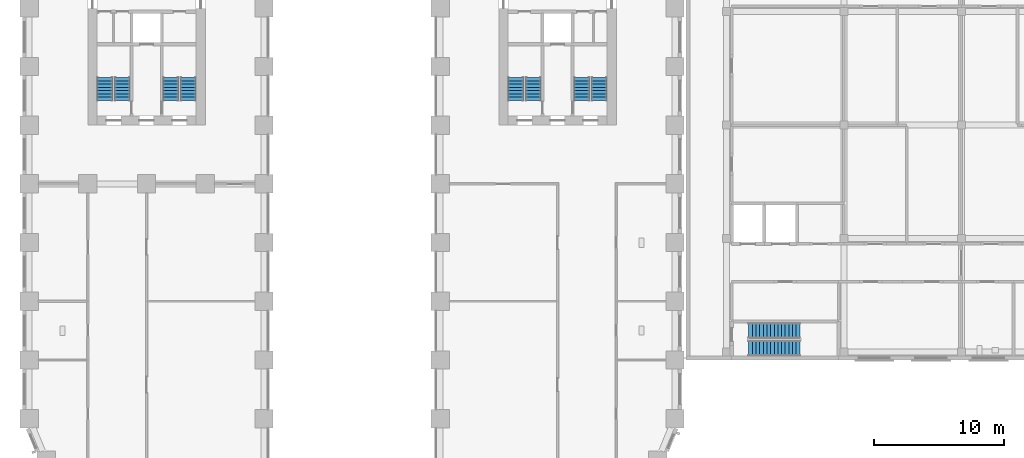
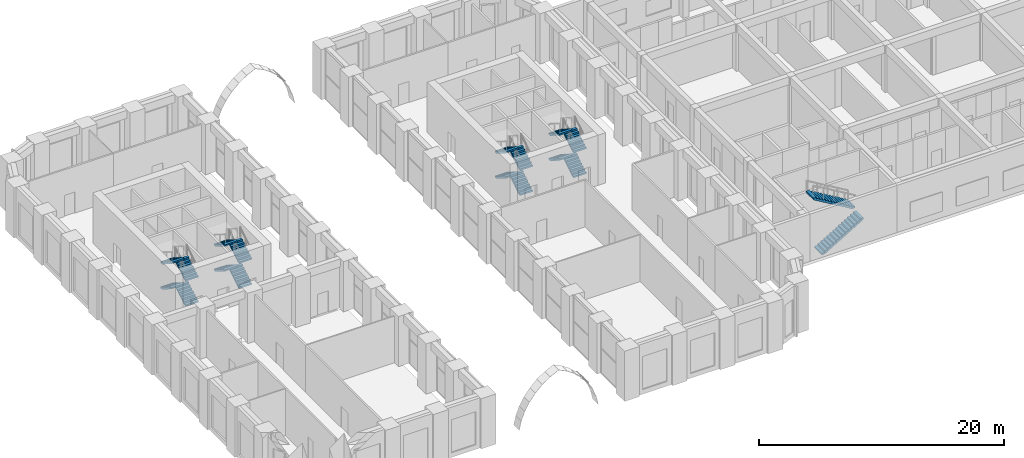
# One storey, part 16 of 24: 18 stair flights, 5 elements without a shape of their own.
"""IFC4 building model written with IfcOpenShell, lengths in metres."""

from ifc_helpers import new_model, si_unit, direction, frame, origin, place, context, subcontext, project, spatial, polyline, outline, extrude, material, type_object, element, aggregate, save


model = new_model("IFC4")

# Units and contexts
model_context = context("Model", 3, precision=1e-05, world=origin(), true_north=direction((0.0, 1.0)))
body_context = subcontext(model_context, "Body", "Model", "MODEL_VIEW")
ifc_project = project(units=[si_unit("LENGTHUNIT", "METRE"), si_unit("AREAUNIT", "SQUARE_METRE"), si_unit("VOLUMEUNIT", "CUBIC_METRE"), si_unit("PLANEANGLEUNIT", "RADIAN"), si_unit("MASSUNIT", "GRAM", prefix="KILO")], contexts=[model_context])

# Site, building, storey
site_placement = place(None, origin())
site = spatial("IfcSite", under=ifc_project, at=site_placement, CompositionType="ELEMENT")
building_placement = place(site_placement, origin())
building = spatial("IfcBuilding", under=site, at=building_placement, Name="Girih Gate Residences", CompositionType="ELEMENT")
storey_placement = place(building_placement, frame((0.0, 0.0, 11.0)))
storey = spatial("IfcBuildingStorey", under=building, at=storey_placement, Name="L02", CompositionType="ELEMENT", Elevation=11.0)

# Stair, stair flights
ifc_material = material(Name="Concrete C40/50", Category="concrete")
stair_type_1 = type_object("IfcStairType", Name="HC Stair", PredefinedType="HALF_TURN_STAIR", material=ifc_material)
stair_1_placement = place(storey_placement, origin())
stair_1 = element("IfcStair", 1, at=stair_1_placement, inside=storey, type_object=stair_type_1, Name="L02 stair A", PredefinedType="HALF_TURN_STAIR")
stair_flight_type_1 = type_object("IfcStairFlightType", Name="HC Stair flight", PredefinedType="STRAIGHT", material=ifc_material)
stair_flight_1_placement = place(storey_placement, frame((55.14990234375, 9.89990234375, 0.0), z_axis=(0.0, 0.0, 1.0), x_axis=(1.0, 0.0, 0.0)))
stair_flight_1 = element("IfcStairFlight", 2, at=stair_flight_1_placement, type_object=stair_flight_type_1, Name="HC-STA flight 1", NumberOfRisers=15, NumberOfTreads=14, PredefinedType="STRAIGHT", RiserHeight=0.166666667, TreadLength=0.28, context=body_context, shape_type="SweptSolid", body=[
    extrude(outline(polyline([(0.0, 0.0), (0.0, 0.166748046875), (0.280029296875, 0.166748046875), (0.280029296875, 0.333251953125), (0.56005859375, 0.333251953125), (0.56005859375, 0.5), (0.840087890625, 0.5), (0.840087890625, 0.666748046875), (1.1201171875, 0.666748046875), (1.1201171875, 0.833251953125), (1.39990234375, 0.833251953125), (1.39990234375, 1.0), (1.679931640625, 1.0), (1.679931640625, 1.166748046875), (1.9599609375, 1.166748046875), (1.9599609375, 1.333251953125), (2.239990234375, 1.333251953125), (2.239990234375, 1.5), (2.52001953125, 1.5), (2.52001953125, 1.666748046875), (2.800048828125, 1.666748046875), (2.800048828125, 1.833251953125), (3.080078125, 1.833251953125), (3.080078125, 2.0), (3.360107421875, 2.0), (3.360107421875, 2.166748046875), (3.639892578125, 2.166748046875), (3.639892578125, 2.333251953125), (3.919921875, 2.333251953125), (3.919921875, 2.5), (3.919921875, 2.158935546875), (0.29296875, 0.0), (0.0, 0.0)])), frame((0.0, 0.60009765625, 0.0), z_axis=(0.0, -1.0, 0.0), x_axis=(1.0, 0.0, 0.0)), (0.0, 0.0, 1.0), 1.199951171875),
])
stair_flight_2_placement = place(storey_placement, frame((59.070068359375, 11.25, 2.5), z_axis=(0.0, 0.0, 1.0), x_axis=(-1.0, 0.0, 0.0)))
stair_flight_2 = element("IfcStairFlight", 3, at=stair_flight_2_placement, type_object=stair_flight_type_1, Name="HC-STA flight 2", NumberOfRisers=15, NumberOfTreads=14, PredefinedType="STRAIGHT", RiserHeight=0.166666667, TreadLength=0.28, context=body_context, shape_type="SweptSolid", body=[
    extrude(outline(polyline([(0.0, 0.0), (0.0, 0.166748046875), (0.280029296875, 0.166748046875), (0.280029296875, 0.333251953125), (0.56005859375, 0.333251953125), (0.56005859375, 0.5), (0.840087890625, 0.5), (0.840087890625, 0.666748046875), (1.1201171875, 0.666748046875), (1.1201171875, 0.833251953125), (1.39990234375, 0.833251953125), (1.39990234375, 1.0), (1.679931640625, 1.0), (1.679931640625, 1.166748046875), (1.9599609375, 1.166748046875), (1.9599609375, 1.333251953125), (2.239990234375, 1.333251953125), (2.239990234375, 1.5), (2.52001953125, 1.5), (2.52001953125, 1.666748046875), (2.800048828125, 1.666748046875), (2.800048828125, 1.833251953125), (3.080078125, 1.833251953125), (3.080078125, 2.0), (3.360107421875, 2.0), (3.360107421875, 2.166748046875), (3.639892578125, 2.166748046875), (3.639892578125, 2.333251953125), (3.919921875, 2.333251953125), (3.919921875, 2.5), (3.919921875, 2.158935546875), (0.29296875, 0.0), (0.0, 0.0)])), frame((0.0, 0.60009765625, 0.0), z_axis=(0.0, -1.0, 0.0), x_axis=(1.0, 0.0, 0.0)), (0.0, 0.0, 1.0), 1.199951171875),
])
aggregate(stair_1, [stair_flight_1, stair_flight_2])

stair_type_2 = type_object("IfcStairType", Name="Exit stair", PredefinedType="HALF_TURN_STAIR", material=ifc_material)
stair_2_placement = place(storey_placement, origin())
stair_2 = element("IfcStair", 4, at=stair_2_placement, inside=storey, type_object=stair_type_2, Name="L02 Exit Stair ST-W1", PredefinedType="HALF_TURN_STAIR")
stair_flight_type_2 = type_object("IfcStairFlightType", Name="Stair flight 1200", PredefinedType="STRAIGHT", material=ifc_material)
stair_flight_3_placement = place(storey_placement, frame((7.14990234375, 28.89990234375, 0.0), z_axis=(0.0, 0.0, 1.0), x_axis=(0.0, 1.0, 0.0)))
stair_flight_3 = element("IfcStairFlight", 5, at=stair_flight_3_placement, type_object=stair_flight_type_2, Name="ST-W1 flight 1", NumberOfRisers=8, NumberOfTreads=7, PredefinedType="STRAIGHT", RiserHeight=0.15625, TreadLength=0.25, context=body_context, shape_type="SweptSolid", body=[
    extrude(outline(polyline([(0.0, 0.0), (0.0, 0.01123046875), (0.0, 0.022216796875), (0.0, 0.033447265625), (0.0, 0.044677734375), (0.0, 0.055908203125), (0.0, 0.06689453125), (0.0, 0.078125), (0.0, 0.08935546875), (0.0, 0.100341796875), (0.0, 0.111572265625), (0.0, 0.122802734375), (0.0, 0.134033203125), (0.0, 0.14501953125), (0.0, 0.15625), (0.25, 0.15625), (0.25, 0.3125), (0.5, 0.3125), (0.5, 0.46875), (0.75, 0.46875), (0.75, 0.625), (1.0, 0.625), (1.0, 0.78125), (1.25, 0.78125), (1.25, 0.9375), (1.5, 0.9375), (1.5, 1.09375), (1.75, 1.09375), (1.75, 1.10498046875), (1.75, 1.115966796875), (1.75, 1.127197265625), (1.75, 1.138427734375), (1.75, 1.149658203125), (1.75, 1.16064453125), (1.75, 1.171875), (1.75, 1.18310546875), (1.75, 1.194091796875), (1.75, 1.205322265625), (1.75, 1.216552734375), (1.75, 1.227783203125), (1.75, 1.23876953125), (1.75, 1.25), (1.75, 1.228759765625), (1.75, 1.20751953125), (1.75, 1.186279296875), (1.75, 1.164794921875), (1.75, 1.1435546875), (1.75, 1.122314453125), (1.75, 1.10107421875), (1.75, 1.079833984375), (1.75, 1.05859375), (1.75, 1.037109375), (1.75, 1.015869140625), (1.75, 0.99462890625), (1.75, 0.973388671875), (1.75, 0.9521484375), (0.2265625, 0.0), (0.0, 0.0)])), frame((0.0, 0.60009765625, 0.0), z_axis=(0.0, -1.0, 0.0), x_axis=(1.0, 0.0, 0.0)), (0.0, 0.0, 1.0), 1.199951171875),
])
stair_flight_4_placement = place(storey_placement, frame((5.800048828125, 30.64990234375, 1.25), z_axis=(0.0, 0.0, 1.0), x_axis=(0.0, -1.0, 0.0)))
stair_flight_4 = element("IfcStairFlight", 6, at=stair_flight_4_placement, type_object=stair_flight_type_2, Name="ST-W1 flight 2", NumberOfRisers=8, NumberOfTreads=7, PredefinedType="STRAIGHT", RiserHeight=0.15625, TreadLength=0.25, context=body_context, shape_type="SweptSolid", body=[
    extrude(outline(polyline([(0.0, 0.0), (0.0, 0.01123046875), (0.0, 0.022216796875), (0.0, 0.033447265625), (0.0, 0.044677734375), (0.0, 0.055908203125), (0.0, 0.06689453125), (0.0, 0.078125), (0.0, 0.08935546875), (0.0, 0.100341796875), (0.0, 0.111572265625), (0.0, 0.122802734375), (0.0, 0.134033203125), (0.0, 0.14501953125), (0.0, 0.15625), (0.25, 0.15625), (0.25, 0.3125), (0.5, 0.3125), (0.5, 0.46875), (0.75, 0.46875), (0.75, 0.625), (1.0, 0.625), (1.0, 0.78125), (1.25, 0.78125), (1.25, 0.9375), (1.5, 0.9375), (1.5, 1.09375), (1.75, 1.09375), (1.75, 1.10498046875), (1.75, 1.115966796875), (1.75, 1.127197265625), (1.75, 1.138427734375), (1.75, 1.149658203125), (1.75, 1.16064453125), (1.75, 1.171875), (1.75, 1.18310546875), (1.75, 1.194091796875), (1.75, 1.205322265625), (1.75, 1.216552734375), (1.75, 1.227783203125), (1.75, 1.23876953125), (1.75, 1.25), (1.75, 1.228759765625), (1.75, 1.20751953125), (1.75, 1.186279296875), (1.75, 1.164794921875), (1.75, 1.1435546875), (1.75, 1.122314453125), (1.75, 1.10107421875), (1.75, 1.079833984375), (1.75, 1.05859375), (1.75, 1.037109375), (1.75, 1.015869140625), (1.75, 0.99462890625), (1.75, 0.973388671875), (1.75, 0.9521484375), (0.2265625, 0.0), (0.0, 0.0)])), frame((0.0, 0.60009765625, 0.0), z_axis=(0.0, -1.0, 0.0), x_axis=(1.0, 0.0, 0.0)), (0.0, 0.0, 1.0), 1.199951171875),
])
stair_flight_5_placement = place(storey_placement, frame((7.14990234375, 28.89990234375, 2.5), z_axis=(0.0, 0.0, 1.0), x_axis=(0.0, 1.0, 0.0)))
stair_flight_5 = element("IfcStairFlight", 7, at=stair_flight_5_placement, type_object=stair_flight_type_2, Name="ST-W1 flight 3", NumberOfRisers=8, NumberOfTreads=7, PredefinedType="STRAIGHT", RiserHeight=0.15625, TreadLength=0.25, context=body_context, shape_type="SweptSolid", body=[
    extrude(outline(polyline([(0.0, 0.0), (0.0, 0.01123046875), (0.0, 0.022216796875), (0.0, 0.033447265625), (0.0, 0.044677734375), (0.0, 0.055908203125), (0.0, 0.06689453125), (0.0, 0.078125), (0.0, 0.08935546875), (0.0, 0.100341796875), (0.0, 0.111572265625), (0.0, 0.122802734375), (0.0, 0.134033203125), (0.0, 0.14501953125), (0.0, 0.15625), (0.25, 0.15625), (0.25, 0.3125), (0.5, 0.3125), (0.5, 0.46875), (0.75, 0.46875), (0.75, 0.625), (1.0, 0.625), (1.0, 0.78125), (1.25, 0.78125), (1.25, 0.9375), (1.5, 0.9375), (1.5, 1.09375), (1.75, 1.09375), (1.75, 1.10498046875), (1.75, 1.115966796875), (1.75, 1.127197265625), (1.75, 1.138427734375), (1.75, 1.149658203125), (1.75, 1.16064453125), (1.75, 1.171875), (1.75, 1.18310546875), (1.75, 1.194091796875), (1.75, 1.205322265625), (1.75, 1.216552734375), (1.75, 1.227783203125), (1.75, 1.23876953125), (1.75, 1.25), (1.75, 1.228759765625), (1.75, 1.20751953125), (1.75, 1.186279296875), (1.75, 1.164794921875), (1.75, 1.1435546875), (1.75, 1.122314453125), (1.75, 1.10107421875), (1.75, 1.079833984375), (1.75, 1.05859375), (1.75, 1.037109375), (1.75, 1.015869140625), (1.75, 0.99462890625), (1.75, 0.973388671875), (1.75, 0.9521484375), (0.2265625, 0.0), (0.0, 0.0)])), frame((0.0, 0.60009765625, 0.0), z_axis=(0.0, -1.0, 0.0), x_axis=(1.0, 0.0, 0.0)), (0.0, 0.0, 1.0), 1.199951171875),
])
stair_flight_6_placement = place(storey_placement, frame((5.800048828125, 30.64990234375, 3.75), z_axis=(0.0, 0.0, 1.0), x_axis=(0.0, -1.0, 0.0)))
stair_flight_6 = element("IfcStairFlight", 8, at=stair_flight_6_placement, type_object=stair_flight_type_2, Name="ST-W1 flight 4", NumberOfRisers=8, NumberOfTreads=7, PredefinedType="STRAIGHT", RiserHeight=0.15625, TreadLength=0.25, context=body_context, shape_type="SweptSolid", body=[
    extrude(outline(polyline([(0.0, 0.0), (0.0, 0.01123046875), (0.0, 0.022216796875), (0.0, 0.033447265625), (0.0, 0.044677734375), (0.0, 0.055908203125), (0.0, 0.06689453125), (0.0, 0.078125), (0.0, 0.08935546875), (0.0, 0.100341796875), (0.0, 0.111572265625), (0.0, 0.122802734375), (0.0, 0.134033203125), (0.0, 0.14501953125), (0.0, 0.15625), (0.25, 0.15625), (0.25, 0.3125), (0.5, 0.3125), (0.5, 0.46875), (0.75, 0.46875), (0.75, 0.625), (1.0, 0.625), (1.0, 0.78125), (1.25, 0.78125), (1.25, 0.9375), (1.5, 0.9375), (1.5, 1.09375), (1.75, 1.09375), (1.75, 1.10498046875), (1.75, 1.115966796875), (1.75, 1.127197265625), (1.75, 1.138427734375), (1.75, 1.149658203125), (1.75, 1.16064453125), (1.75, 1.171875), (1.75, 1.18310546875), (1.75, 1.194091796875), (1.75, 1.205322265625), (1.75, 1.216552734375), (1.75, 1.227783203125), (1.75, 1.23876953125), (1.75, 1.25), (1.75, 1.228759765625), (1.75, 1.20751953125), (1.75, 1.186279296875), (1.75, 1.164794921875), (1.75, 1.1435546875), (1.75, 1.122314453125), (1.75, 1.10107421875), (1.75, 1.079833984375), (1.75, 1.05859375), (1.75, 1.037109375), (1.75, 1.015869140625), (1.75, 0.99462890625), (1.75, 0.973388671875), (1.75, 0.9521484375), (0.2265625, 0.0), (0.0, 0.0)])), frame((0.0, 0.60009765625, 0.0), z_axis=(0.0, -1.0, 0.0), x_axis=(1.0, 0.0, 0.0)), (0.0, 0.0, 1.0), 1.199951171875),
])
aggregate(stair_2, [stair_flight_3, stair_flight_4, stair_flight_5, stair_flight_6])

stair_3_placement = place(storey_placement, origin())
stair_3 = element("IfcStair", 9, at=stair_3_placement, inside=storey, type_object=stair_type_2, Name="L02 Exit Stair ST-W2", PredefinedType="HALF_TURN_STAIR")
stair_flight_7_placement = place(storey_placement, frame((12.199951171875, 28.89990234375, 0.0), z_axis=(0.0, 0.0, 1.0), x_axis=(0.0, 1.0, 0.0)))
stair_flight_7 = element("IfcStairFlight", 10, at=stair_flight_7_placement, type_object=stair_flight_type_2, Name="ST-W2 flight 1", NumberOfRisers=8, NumberOfTreads=7, PredefinedType="STRAIGHT", RiserHeight=0.15625, TreadLength=0.25, context=body_context, shape_type="SweptSolid", body=[
    extrude(outline(polyline([(0.0, 0.0), (0.0, 0.01123046875), (0.0, 0.022216796875), (0.0, 0.033447265625), (0.0, 0.044677734375), (0.0, 0.055908203125), (0.0, 0.06689453125), (0.0, 0.078125), (0.0, 0.08935546875), (0.0, 0.100341796875), (0.0, 0.111572265625), (0.0, 0.122802734375), (0.0, 0.134033203125), (0.0, 0.14501953125), (0.0, 0.15625), (0.25, 0.15625), (0.25, 0.3125), (0.5, 0.3125), (0.5, 0.46875), (0.75, 0.46875), (0.75, 0.625), (1.0, 0.625), (1.0, 0.78125), (1.25, 0.78125), (1.25, 0.9375), (1.5, 0.9375), (1.5, 1.09375), (1.75, 1.09375), (1.75, 1.10498046875), (1.75, 1.115966796875), (1.75, 1.127197265625), (1.75, 1.138427734375), (1.75, 1.149658203125), (1.75, 1.16064453125), (1.75, 1.171875), (1.75, 1.18310546875), (1.75, 1.194091796875), (1.75, 1.205322265625), (1.75, 1.216552734375), (1.75, 1.227783203125), (1.75, 1.23876953125), (1.75, 1.25), (1.75, 1.228759765625), (1.75, 1.20751953125), (1.75, 1.186279296875), (1.75, 1.164794921875), (1.75, 1.1435546875), (1.75, 1.122314453125), (1.75, 1.10107421875), (1.75, 1.079833984375), (1.75, 1.05859375), (1.75, 1.037109375), (1.75, 1.015869140625), (1.75, 0.99462890625), (1.75, 0.973388671875), (1.75, 0.9521484375), (0.2265625, 0.0), (0.0, 0.0)])), frame((0.0, 0.60009765625, 0.0), z_axis=(0.0, -1.0, 0.0), x_axis=(1.0, 0.0, 0.0)), (0.0, 0.0, 1.0), 1.199951171875),
])
stair_flight_8_placement = place(storey_placement, frame((10.85009765625, 30.64990234375, 1.25), z_axis=(0.0, 0.0, 1.0), x_axis=(0.0, -1.0, 0.0)))
stair_flight_8 = element("IfcStairFlight", 11, at=stair_flight_8_placement, type_object=stair_flight_type_2, Name="ST-W2 flight 2", NumberOfRisers=8, NumberOfTreads=7, PredefinedType="STRAIGHT", RiserHeight=0.15625, TreadLength=0.25, context=body_context, shape_type="SweptSolid", body=[
    extrude(outline(polyline([(0.0, 0.0), (0.0, 0.01123046875), (0.0, 0.022216796875), (0.0, 0.033447265625), (0.0, 0.044677734375), (0.0, 0.055908203125), (0.0, 0.06689453125), (0.0, 0.078125), (0.0, 0.08935546875), (0.0, 0.100341796875), (0.0, 0.111572265625), (0.0, 0.122802734375), (0.0, 0.134033203125), (0.0, 0.14501953125), (0.0, 0.15625), (0.25, 0.15625), (0.25, 0.3125), (0.5, 0.3125), (0.5, 0.46875), (0.75, 0.46875), (0.75, 0.625), (1.0, 0.625), (1.0, 0.78125), (1.25, 0.78125), (1.25, 0.9375), (1.5, 0.9375), (1.5, 1.09375), (1.75, 1.09375), (1.75, 1.10498046875), (1.75, 1.115966796875), (1.75, 1.127197265625), (1.75, 1.138427734375), (1.75, 1.149658203125), (1.75, 1.16064453125), (1.75, 1.171875), (1.75, 1.18310546875), (1.75, 1.194091796875), (1.75, 1.205322265625), (1.75, 1.216552734375), (1.75, 1.227783203125), (1.75, 1.23876953125), (1.75, 1.25), (1.75, 1.228759765625), (1.75, 1.20751953125), (1.75, 1.186279296875), (1.75, 1.164794921875), (1.75, 1.1435546875), (1.75, 1.122314453125), (1.75, 1.10107421875), (1.75, 1.079833984375), (1.75, 1.05859375), (1.75, 1.037109375), (1.75, 1.015869140625), (1.75, 0.99462890625), (1.75, 0.973388671875), (1.75, 0.9521484375), (0.2265625, 0.0), (0.0, 0.0)])), frame((0.0, 0.60009765625, 0.0), z_axis=(0.0, -1.0, 0.0), x_axis=(1.0, 0.0, 0.0)), (0.0, 0.0, 1.0), 1.199951171875),
])
stair_flight_9_placement = place(storey_placement, frame((12.199951171875, 28.89990234375, 2.5), z_axis=(0.0, 0.0, 1.0), x_axis=(0.0, 1.0, 0.0)))
stair_flight_9 = element("IfcStairFlight", 12, at=stair_flight_9_placement, type_object=stair_flight_type_2, Name="ST-W2 flight 3", NumberOfRisers=8, NumberOfTreads=7, PredefinedType="STRAIGHT", RiserHeight=0.15625, TreadLength=0.25, context=body_context, shape_type="SweptSolid", body=[
    extrude(outline(polyline([(0.0, 0.0), (0.0, 0.01123046875), (0.0, 0.022216796875), (0.0, 0.033447265625), (0.0, 0.044677734375), (0.0, 0.055908203125), (0.0, 0.06689453125), (0.0, 0.078125), (0.0, 0.08935546875), (0.0, 0.100341796875), (0.0, 0.111572265625), (0.0, 0.122802734375), (0.0, 0.134033203125), (0.0, 0.14501953125), (0.0, 0.15625), (0.25, 0.15625), (0.25, 0.3125), (0.5, 0.3125), (0.5, 0.46875), (0.75, 0.46875), (0.75, 0.625), (1.0, 0.625), (1.0, 0.78125), (1.25, 0.78125), (1.25, 0.9375), (1.5, 0.9375), (1.5, 1.09375), (1.75, 1.09375), (1.75, 1.10498046875), (1.75, 1.115966796875), (1.75, 1.127197265625), (1.75, 1.138427734375), (1.75, 1.149658203125), (1.75, 1.16064453125), (1.75, 1.171875), (1.75, 1.18310546875), (1.75, 1.194091796875), (1.75, 1.205322265625), (1.75, 1.216552734375), (1.75, 1.227783203125), (1.75, 1.23876953125), (1.75, 1.25), (1.75, 1.228759765625), (1.75, 1.20751953125), (1.75, 1.186279296875), (1.75, 1.164794921875), (1.75, 1.1435546875), (1.75, 1.122314453125), (1.75, 1.10107421875), (1.75, 1.079833984375), (1.75, 1.05859375), (1.75, 1.037109375), (1.75, 1.015869140625), (1.75, 0.99462890625), (1.75, 0.973388671875), (1.75, 0.9521484375), (0.2265625, 0.0), (0.0, 0.0)])), frame((0.0, 0.60009765625, 0.0), z_axis=(0.0, -1.0, 0.0), x_axis=(1.0, 0.0, 0.0)), (0.0, 0.0, 1.0), 1.199951171875),
])
stair_flight_10_placement = place(storey_placement, frame((10.85009765625, 30.64990234375, 3.75), z_axis=(0.0, 0.0, 1.0), x_axis=(0.0, -1.0, 0.0)))
stair_flight_10 = element("IfcStairFlight", 13, at=stair_flight_10_placement, type_object=stair_flight_type_2, Name="ST-W2 flight 4", NumberOfRisers=8, NumberOfTreads=7, PredefinedType="STRAIGHT", RiserHeight=0.15625, TreadLength=0.25, context=body_context, shape_type="SweptSolid", body=[
    extrude(outline(polyline([(0.0, 0.0), (0.0, 0.01123046875), (0.0, 0.022216796875), (0.0, 0.033447265625), (0.0, 0.044677734375), (0.0, 0.055908203125), (0.0, 0.06689453125), (0.0, 0.078125), (0.0, 0.08935546875), (0.0, 0.100341796875), (0.0, 0.111572265625), (0.0, 0.122802734375), (0.0, 0.134033203125), (0.0, 0.14501953125), (0.0, 0.15625), (0.25, 0.15625), (0.25, 0.3125), (0.5, 0.3125), (0.5, 0.46875), (0.75, 0.46875), (0.75, 0.625), (1.0, 0.625), (1.0, 0.78125), (1.25, 0.78125), (1.25, 0.9375), (1.5, 0.9375), (1.5, 1.09375), (1.75, 1.09375), (1.75, 1.10498046875), (1.75, 1.115966796875), (1.75, 1.127197265625), (1.75, 1.138427734375), (1.75, 1.149658203125), (1.75, 1.16064453125), (1.75, 1.171875), (1.75, 1.18310546875), (1.75, 1.194091796875), (1.75, 1.205322265625), (1.75, 1.216552734375), (1.75, 1.227783203125), (1.75, 1.23876953125), (1.75, 1.25), (1.75, 1.228759765625), (1.75, 1.20751953125), (1.75, 1.186279296875), (1.75, 1.164794921875), (1.75, 1.1435546875), (1.75, 1.122314453125), (1.75, 1.10107421875), (1.75, 1.079833984375), (1.75, 1.05859375), (1.75, 1.037109375), (1.75, 1.015869140625), (1.75, 0.99462890625), (1.75, 0.973388671875), (1.75, 0.9521484375), (0.2265625, 0.0), (0.0, 0.0)])), frame((0.0, 0.60009765625, 0.0), z_axis=(0.0, -1.0, 0.0), x_axis=(1.0, 0.0, 0.0)), (0.0, 0.0, 1.0), 1.199951171875),
])
aggregate(stair_3, [stair_flight_7, stair_flight_8, stair_flight_9, stair_flight_10])

stair_4_placement = place(storey_placement, origin())
stair_4 = element("IfcStair", 14, at=stair_4_placement, inside=storey, type_object=stair_type_2, Name="L02 Exit Stair ST-E1", PredefinedType="HALF_TURN_STAIR")
stair_flight_11_placement = place(storey_placement, frame((43.699951171875, 28.89990234375, 0.0), z_axis=(0.0, 0.0, 1.0), x_axis=(0.0, 1.0, 0.0)))
stair_flight_11 = element("IfcStairFlight", 15, at=stair_flight_11_placement, type_object=stair_flight_type_2, Name="ST-E1 flight 1", NumberOfRisers=8, NumberOfTreads=7, PredefinedType="STRAIGHT", RiserHeight=0.15625, TreadLength=0.25, context=body_context, shape_type="SweptSolid", body=[
    extrude(outline(polyline([(0.0, 0.0), (0.0, 0.01123046875), (0.0, 0.022216796875), (0.0, 0.033447265625), (0.0, 0.044677734375), (0.0, 0.055908203125), (0.0, 0.06689453125), (0.0, 0.078125), (0.0, 0.08935546875), (0.0, 0.100341796875), (0.0, 0.111572265625), (0.0, 0.122802734375), (0.0, 0.134033203125), (0.0, 0.14501953125), (0.0, 0.15625), (0.25, 0.15625), (0.25, 0.3125), (0.5, 0.3125), (0.5, 0.46875), (0.75, 0.46875), (0.75, 0.625), (1.0, 0.625), (1.0, 0.78125), (1.25, 0.78125), (1.25, 0.9375), (1.5, 0.9375), (1.5, 1.09375), (1.75, 1.09375), (1.75, 1.10498046875), (1.75, 1.115966796875), (1.75, 1.127197265625), (1.75, 1.138427734375), (1.75, 1.149658203125), (1.75, 1.16064453125), (1.75, 1.171875), (1.75, 1.18310546875), (1.75, 1.194091796875), (1.75, 1.205322265625), (1.75, 1.216552734375), (1.75, 1.227783203125), (1.75, 1.23876953125), (1.75, 1.25), (1.75, 1.228759765625), (1.75, 1.20751953125), (1.75, 1.186279296875), (1.75, 1.164794921875), (1.75, 1.1435546875), (1.75, 1.122314453125), (1.75, 1.10107421875), (1.75, 1.079833984375), (1.75, 1.05859375), (1.75, 1.037109375), (1.75, 1.015869140625), (1.75, 0.99462890625), (1.75, 0.973388671875), (1.75, 0.9521484375), (0.2265625, 0.0), (0.0, 0.0)])), frame((0.0, 0.60009765625, 0.0), z_axis=(0.0, -1.0, 0.0), x_axis=(1.0, 0.0, 0.0)), (0.0, 0.0, 1.0), 1.199951171875),
])
stair_flight_12_placement = place(storey_placement, frame((42.35009765625, 30.64990234375, 1.25), z_axis=(0.0, 0.0, 1.0), x_axis=(0.0, -1.0, 0.0)))
stair_flight_12 = element("IfcStairFlight", 16, at=stair_flight_12_placement, type_object=stair_flight_type_2, Name="ST-E1 flight 2", NumberOfRisers=8, NumberOfTreads=7, PredefinedType="STRAIGHT", RiserHeight=0.15625, TreadLength=0.25, context=body_context, shape_type="SweptSolid", body=[
    extrude(outline(polyline([(0.0, 0.0), (0.0, 0.01123046875), (0.0, 0.022216796875), (0.0, 0.033447265625), (0.0, 0.044677734375), (0.0, 0.055908203125), (0.0, 0.06689453125), (0.0, 0.078125), (0.0, 0.08935546875), (0.0, 0.100341796875), (0.0, 0.111572265625), (0.0, 0.122802734375), (0.0, 0.134033203125), (0.0, 0.14501953125), (0.0, 0.15625), (0.25, 0.15625), (0.25, 0.3125), (0.5, 0.3125), (0.5, 0.46875), (0.75, 0.46875), (0.75, 0.625), (1.0, 0.625), (1.0, 0.78125), (1.25, 0.78125), (1.25, 0.9375), (1.5, 0.9375), (1.5, 1.09375), (1.75, 1.09375), (1.75, 1.10498046875), (1.75, 1.115966796875), (1.75, 1.127197265625), (1.75, 1.138427734375), (1.75, 1.149658203125), (1.75, 1.16064453125), (1.75, 1.171875), (1.75, 1.18310546875), (1.75, 1.194091796875), (1.75, 1.205322265625), (1.75, 1.216552734375), (1.75, 1.227783203125), (1.75, 1.23876953125), (1.75, 1.25), (1.75, 1.228759765625), (1.75, 1.20751953125), (1.75, 1.186279296875), (1.75, 1.164794921875), (1.75, 1.1435546875), (1.75, 1.122314453125), (1.75, 1.10107421875), (1.75, 1.079833984375), (1.75, 1.05859375), (1.75, 1.037109375), (1.75, 1.015869140625), (1.75, 0.99462890625), (1.75, 0.973388671875), (1.75, 0.9521484375), (0.2265625, 0.0), (0.0, 0.0)])), frame((0.0, 0.60009765625, 0.0), z_axis=(0.0, -1.0, 0.0), x_axis=(1.0, 0.0, 0.0)), (0.0, 0.0, 1.0), 1.199951171875),
])
stair_flight_13_placement = place(storey_placement, frame((43.699951171875, 28.89990234375, 2.5), z_axis=(0.0, 0.0, 1.0), x_axis=(0.0, 1.0, 0.0)))
stair_flight_13 = element("IfcStairFlight", 17, at=stair_flight_13_placement, type_object=stair_flight_type_2, Name="ST-E1 flight 3", NumberOfRisers=8, NumberOfTreads=7, PredefinedType="STRAIGHT", RiserHeight=0.15625, TreadLength=0.25, context=body_context, shape_type="SweptSolid", body=[
    extrude(outline(polyline([(0.0, 0.0), (0.0, 0.01123046875), (0.0, 0.022216796875), (0.0, 0.033447265625), (0.0, 0.044677734375), (0.0, 0.055908203125), (0.0, 0.06689453125), (0.0, 0.078125), (0.0, 0.08935546875), (0.0, 0.100341796875), (0.0, 0.111572265625), (0.0, 0.122802734375), (0.0, 0.134033203125), (0.0, 0.14501953125), (0.0, 0.15625), (0.25, 0.15625), (0.25, 0.3125), (0.5, 0.3125), (0.5, 0.46875), (0.75, 0.46875), (0.75, 0.625), (1.0, 0.625), (1.0, 0.78125), (1.25, 0.78125), (1.25, 0.9375), (1.5, 0.9375), (1.5, 1.09375), (1.75, 1.09375), (1.75, 1.10498046875), (1.75, 1.115966796875), (1.75, 1.127197265625), (1.75, 1.138427734375), (1.75, 1.149658203125), (1.75, 1.16064453125), (1.75, 1.171875), (1.75, 1.18310546875), (1.75, 1.194091796875), (1.75, 1.205322265625), (1.75, 1.216552734375), (1.75, 1.227783203125), (1.75, 1.23876953125), (1.75, 1.25), (1.75, 1.228759765625), (1.75, 1.20751953125), (1.75, 1.186279296875), (1.75, 1.164794921875), (1.75, 1.1435546875), (1.75, 1.122314453125), (1.75, 1.10107421875), (1.75, 1.079833984375), (1.75, 1.05859375), (1.75, 1.037109375), (1.75, 1.015869140625), (1.75, 0.99462890625), (1.75, 0.973388671875), (1.75, 0.9521484375), (0.2265625, 0.0), (0.0, 0.0)])), frame((0.0, 0.60009765625, 0.0), z_axis=(0.0, -1.0, 0.0), x_axis=(1.0, 0.0, 0.0)), (0.0, 0.0, 1.0), 1.199951171875),
])
stair_flight_14_placement = place(storey_placement, frame((42.35009765625, 30.64990234375, 3.75), z_axis=(0.0, 0.0, 1.0), x_axis=(0.0, -1.0, 0.0)))
stair_flight_14 = element("IfcStairFlight", 18, at=stair_flight_14_placement, type_object=stair_flight_type_2, Name="ST-E1 flight 4", NumberOfRisers=8, NumberOfTreads=7, PredefinedType="STRAIGHT", RiserHeight=0.15625, TreadLength=0.25, context=body_context, shape_type="SweptSolid", body=[
    extrude(outline(polyline([(0.0, 0.0), (0.0, 0.01123046875), (0.0, 0.022216796875), (0.0, 0.033447265625), (0.0, 0.044677734375), (0.0, 0.055908203125), (0.0, 0.06689453125), (0.0, 0.078125), (0.0, 0.08935546875), (0.0, 0.100341796875), (0.0, 0.111572265625), (0.0, 0.122802734375), (0.0, 0.134033203125), (0.0, 0.14501953125), (0.0, 0.15625), (0.25, 0.15625), (0.25, 0.3125), (0.5, 0.3125), (0.5, 0.46875), (0.75, 0.46875), (0.75, 0.625), (1.0, 0.625), (1.0, 0.78125), (1.25, 0.78125), (1.25, 0.9375), (1.5, 0.9375), (1.5, 1.09375), (1.75, 1.09375), (1.75, 1.10498046875), (1.75, 1.115966796875), (1.75, 1.127197265625), (1.75, 1.138427734375), (1.75, 1.149658203125), (1.75, 1.16064453125), (1.75, 1.171875), (1.75, 1.18310546875), (1.75, 1.194091796875), (1.75, 1.205322265625), (1.75, 1.216552734375), (1.75, 1.227783203125), (1.75, 1.23876953125), (1.75, 1.25), (1.75, 1.228759765625), (1.75, 1.20751953125), (1.75, 1.186279296875), (1.75, 1.164794921875), (1.75, 1.1435546875), (1.75, 1.122314453125), (1.75, 1.10107421875), (1.75, 1.079833984375), (1.75, 1.05859375), (1.75, 1.037109375), (1.75, 1.015869140625), (1.75, 0.99462890625), (1.75, 0.973388671875), (1.75, 0.9521484375), (0.2265625, 0.0), (0.0, 0.0)])), frame((0.0, 0.60009765625, 0.0), z_axis=(0.0, -1.0, 0.0), x_axis=(1.0, 0.0, 0.0)), (0.0, 0.0, 1.0), 1.199951171875),
])
aggregate(stair_4, [stair_flight_11, stair_flight_12, stair_flight_13, stair_flight_14])

stair_5_placement = place(storey_placement, origin())
stair_5 = element("IfcStair", 19, at=stair_5_placement, inside=storey, type_object=stair_type_2, Name="L02 Exit Stair ST-E2", PredefinedType="HALF_TURN_STAIR")
stair_flight_15_placement = place(storey_placement, frame((38.64990234375, 28.89990234375, 0.0), z_axis=(0.0, 0.0, 1.0), x_axis=(0.0, 1.0, 0.0)))
stair_flight_15 = element("IfcStairFlight", 20, at=stair_flight_15_placement, type_object=stair_flight_type_2, Name="ST-E2 flight 1", NumberOfRisers=8, NumberOfTreads=7, PredefinedType="STRAIGHT", RiserHeight=0.15625, TreadLength=0.25, context=body_context, shape_type="SweptSolid", body=[
    extrude(outline(polyline([(0.0, 0.0), (0.0, 0.01123046875), (0.0, 0.022216796875), (0.0, 0.033447265625), (0.0, 0.044677734375), (0.0, 0.055908203125), (0.0, 0.06689453125), (0.0, 0.078125), (0.0, 0.08935546875), (0.0, 0.100341796875), (0.0, 0.111572265625), (0.0, 0.122802734375), (0.0, 0.134033203125), (0.0, 0.14501953125), (0.0, 0.15625), (0.25, 0.15625), (0.25, 0.3125), (0.5, 0.3125), (0.5, 0.46875), (0.75, 0.46875), (0.75, 0.625), (1.0, 0.625), (1.0, 0.78125), (1.25, 0.78125), (1.25, 0.9375), (1.5, 0.9375), (1.5, 1.09375), (1.75, 1.09375), (1.75, 1.10498046875), (1.75, 1.115966796875), (1.75, 1.127197265625), (1.75, 1.138427734375), (1.75, 1.149658203125), (1.75, 1.16064453125), (1.75, 1.171875), (1.75, 1.18310546875), (1.75, 1.194091796875), (1.75, 1.205322265625), (1.75, 1.216552734375), (1.75, 1.227783203125), (1.75, 1.23876953125), (1.75, 1.25), (1.75, 1.228759765625), (1.75, 1.20751953125), (1.75, 1.186279296875), (1.75, 1.164794921875), (1.75, 1.1435546875), (1.75, 1.122314453125), (1.75, 1.10107421875), (1.75, 1.079833984375), (1.75, 1.05859375), (1.75, 1.037109375), (1.75, 1.015869140625), (1.75, 0.99462890625), (1.75, 0.973388671875), (1.75, 0.9521484375), (0.2265625, 0.0), (0.0, 0.0)])), frame((0.0, 0.60009765625, 0.0), z_axis=(0.0, -1.0, 0.0), x_axis=(1.0, 0.0, 0.0)), (0.0, 0.0, 1.0), 1.199951171875),
])
stair_flight_16_placement = place(storey_placement, frame((37.300048828125, 30.64990234375, 1.25), z_axis=(0.0, 0.0, 1.0), x_axis=(0.0, -1.0, 0.0)))
stair_flight_16 = element("IfcStairFlight", 21, at=stair_flight_16_placement, type_object=stair_flight_type_2, Name="ST-E2 flight 2", NumberOfRisers=8, NumberOfTreads=7, PredefinedType="STRAIGHT", RiserHeight=0.15625, TreadLength=0.25, context=body_context, shape_type="SweptSolid", body=[
    extrude(outline(polyline([(0.0, 0.0), (0.0, 0.01123046875), (0.0, 0.022216796875), (0.0, 0.033447265625), (0.0, 0.044677734375), (0.0, 0.055908203125), (0.0, 0.06689453125), (0.0, 0.078125), (0.0, 0.08935546875), (0.0, 0.100341796875), (0.0, 0.111572265625), (0.0, 0.122802734375), (0.0, 0.134033203125), (0.0, 0.14501953125), (0.0, 0.15625), (0.25, 0.15625), (0.25, 0.3125), (0.5, 0.3125), (0.5, 0.46875), (0.75, 0.46875), (0.75, 0.625), (1.0, 0.625), (1.0, 0.78125), (1.25, 0.78125), (1.25, 0.9375), (1.5, 0.9375), (1.5, 1.09375), (1.75, 1.09375), (1.75, 1.10498046875), (1.75, 1.115966796875), (1.75, 1.127197265625), (1.75, 1.138427734375), (1.75, 1.149658203125), (1.75, 1.16064453125), (1.75, 1.171875), (1.75, 1.18310546875), (1.75, 1.194091796875), (1.75, 1.205322265625), (1.75, 1.216552734375), (1.75, 1.227783203125), (1.75, 1.23876953125), (1.75, 1.25), (1.75, 1.228759765625), (1.75, 1.20751953125), (1.75, 1.186279296875), (1.75, 1.164794921875), (1.75, 1.1435546875), (1.75, 1.122314453125), (1.75, 1.10107421875), (1.75, 1.079833984375), (1.75, 1.05859375), (1.75, 1.037109375), (1.75, 1.015869140625), (1.75, 0.99462890625), (1.75, 0.973388671875), (1.75, 0.9521484375), (0.2265625, 0.0), (0.0, 0.0)])), frame((0.0, 0.60009765625, 0.0), z_axis=(0.0, -1.0, 0.0), x_axis=(1.0, 0.0, 0.0)), (0.0, 0.0, 1.0), 1.199951171875),
])
stair_flight_17_placement = place(storey_placement, frame((38.64990234375, 28.89990234375, 2.5), z_axis=(0.0, 0.0, 1.0), x_axis=(0.0, 1.0, 0.0)))
stair_flight_17 = element("IfcStairFlight", 22, at=stair_flight_17_placement, type_object=stair_flight_type_2, Name="ST-E2 flight 3", NumberOfRisers=8, NumberOfTreads=7, PredefinedType="STRAIGHT", RiserHeight=0.15625, TreadLength=0.25, context=body_context, shape_type="SweptSolid", body=[
    extrude(outline(polyline([(0.0, 0.0), (0.0, 0.01123046875), (0.0, 0.022216796875), (0.0, 0.033447265625), (0.0, 0.044677734375), (0.0, 0.055908203125), (0.0, 0.06689453125), (0.0, 0.078125), (0.0, 0.08935546875), (0.0, 0.100341796875), (0.0, 0.111572265625), (0.0, 0.122802734375), (0.0, 0.134033203125), (0.0, 0.14501953125), (0.0, 0.15625), (0.25, 0.15625), (0.25, 0.3125), (0.5, 0.3125), (0.5, 0.46875), (0.75, 0.46875), (0.75, 0.625), (1.0, 0.625), (1.0, 0.78125), (1.25, 0.78125), (1.25, 0.9375), (1.5, 0.9375), (1.5, 1.09375), (1.75, 1.09375), (1.75, 1.10498046875), (1.75, 1.115966796875), (1.75, 1.127197265625), (1.75, 1.138427734375), (1.75, 1.149658203125), (1.75, 1.16064453125), (1.75, 1.171875), (1.75, 1.18310546875), (1.75, 1.194091796875), (1.75, 1.205322265625), (1.75, 1.216552734375), (1.75, 1.227783203125), (1.75, 1.23876953125), (1.75, 1.25), (1.75, 1.228759765625), (1.75, 1.20751953125), (1.75, 1.186279296875), (1.75, 1.164794921875), (1.75, 1.1435546875), (1.75, 1.122314453125), (1.75, 1.10107421875), (1.75, 1.079833984375), (1.75, 1.05859375), (1.75, 1.037109375), (1.75, 1.015869140625), (1.75, 0.99462890625), (1.75, 0.973388671875), (1.75, 0.9521484375), (0.2265625, 0.0), (0.0, 0.0)])), frame((0.0, 0.60009765625, 0.0), z_axis=(0.0, -1.0, 0.0), x_axis=(1.0, 0.0, 0.0)), (0.0, 0.0, 1.0), 1.199951171875),
])
stair_flight_18_placement = place(storey_placement, frame((37.300048828125, 30.64990234375, 3.75), z_axis=(0.0, 0.0, 1.0), x_axis=(0.0, -1.0, 0.0)))
stair_flight_18 = element("IfcStairFlight", 23, at=stair_flight_18_placement, type_object=stair_flight_type_2, Name="ST-E2 flight 4", NumberOfRisers=8, NumberOfTreads=7, PredefinedType="STRAIGHT", RiserHeight=0.15625, TreadLength=0.25, context=body_context, shape_type="SweptSolid", body=[
    extrude(outline(polyline([(0.0, 0.0), (0.0, 0.01123046875), (0.0, 0.022216796875), (0.0, 0.033447265625), (0.0, 0.044677734375), (0.0, 0.055908203125), (0.0, 0.06689453125), (0.0, 0.078125), (0.0, 0.08935546875), (0.0, 0.100341796875), (0.0, 0.111572265625), (0.0, 0.122802734375), (0.0, 0.134033203125), (0.0, 0.14501953125), (0.0, 0.15625), (0.25, 0.15625), (0.25, 0.3125), (0.5, 0.3125), (0.5, 0.46875), (0.75, 0.46875), (0.75, 0.625), (1.0, 0.625), (1.0, 0.78125), (1.25, 0.78125), (1.25, 0.9375), (1.5, 0.9375), (1.5, 1.09375), (1.75, 1.09375), (1.75, 1.10498046875), (1.75, 1.115966796875), (1.75, 1.127197265625), (1.75, 1.138427734375), (1.75, 1.149658203125), (1.75, 1.16064453125), (1.75, 1.171875), (1.75, 1.18310546875), (1.75, 1.194091796875), (1.75, 1.205322265625), (1.75, 1.216552734375), (1.75, 1.227783203125), (1.75, 1.23876953125), (1.75, 1.25), (1.75, 1.228759765625), (1.75, 1.20751953125), (1.75, 1.186279296875), (1.75, 1.164794921875), (1.75, 1.1435546875), (1.75, 1.122314453125), (1.75, 1.10107421875), (1.75, 1.079833984375), (1.75, 1.05859375), (1.75, 1.037109375), (1.75, 1.015869140625), (1.75, 0.99462890625), (1.75, 0.973388671875), (1.75, 0.9521484375), (0.2265625, 0.0), (0.0, 0.0)])), frame((0.0, 0.60009765625, 0.0), z_axis=(0.0, -1.0, 0.0), x_axis=(1.0, 0.0, 0.0)), (0.0, 0.0, 1.0), 1.199951171875),
])
aggregate(stair_5, [stair_flight_15, stair_flight_16, stair_flight_17, stair_flight_18])

save(model, "model.ifc")
